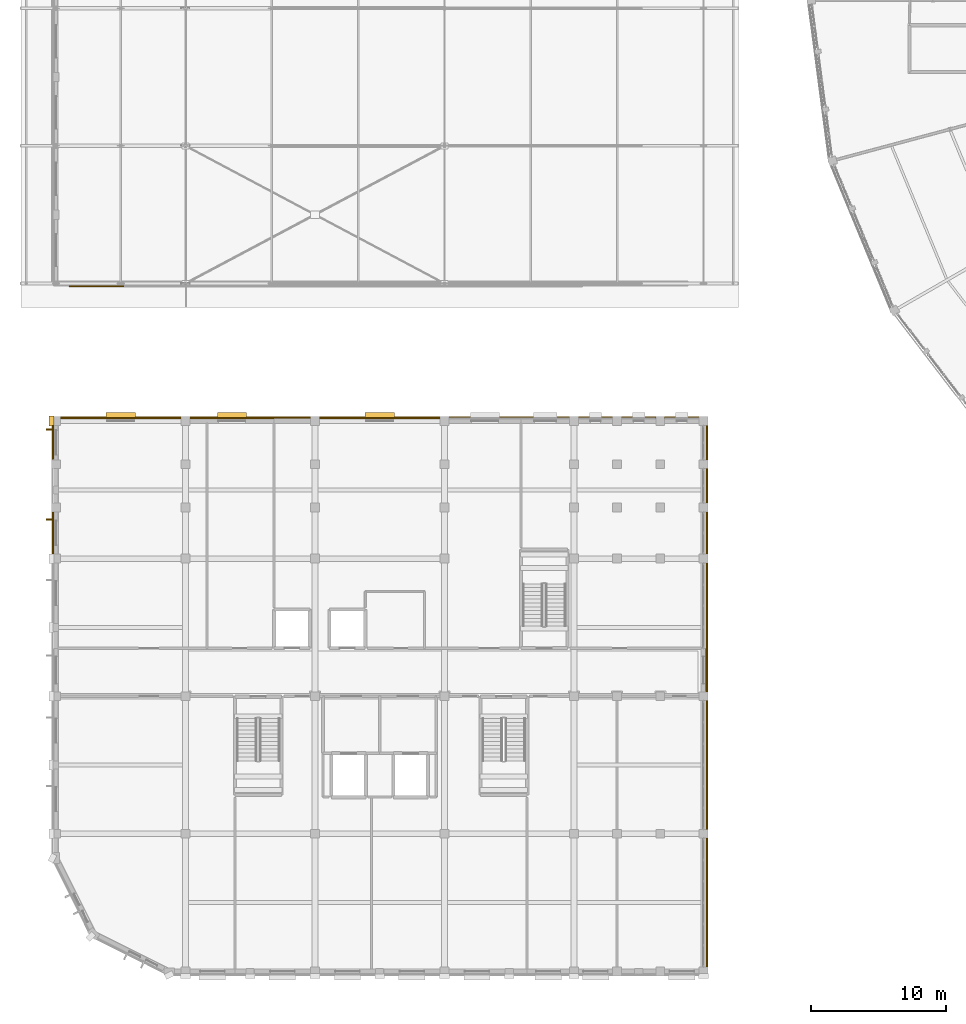
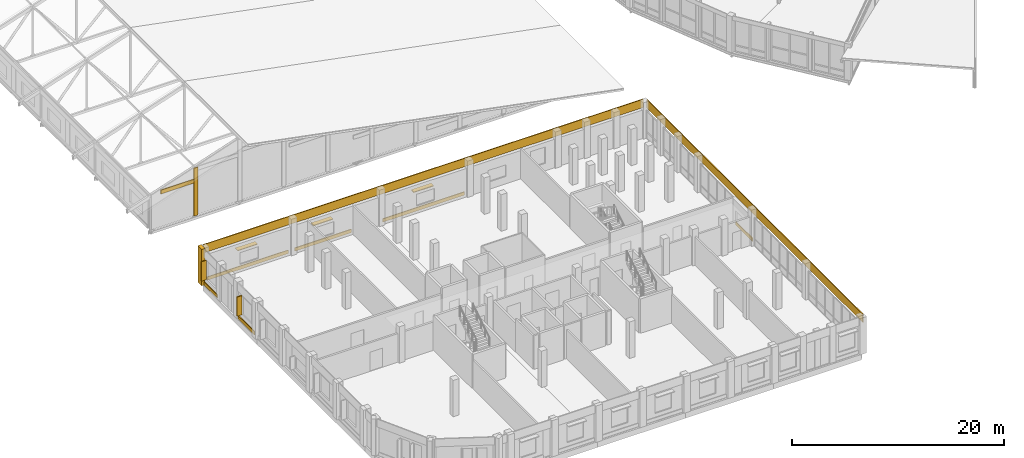
# One storey, part 192 of 200: 11 coverings, 5 shading devices.
"""IFC4 building model written with IfcOpenShell, lengths in metres."""

from ifc_helpers import new_model, si_unit, direction, frame, origin, origin_2d, place, context, subcontext, project, spatial, rectangle, extrude, material, layer, layer_set, type_object, element, save


model = new_model("IFC4")

# Units and contexts
model_context = context("Model", 3, precision=1e-05, world=origin(), true_north=direction((0.0, 1.0)))
body_context = subcontext(model_context, "Body", "Model", "MODEL_VIEW")
ifc_project = project(units=[si_unit("LENGTHUNIT", "METRE"), si_unit("AREAUNIT", "SQUARE_METRE"), si_unit("VOLUMEUNIT", "CUBIC_METRE"), si_unit("PLANEANGLEUNIT", "RADIAN"), si_unit("MASSUNIT", "GRAM", prefix="KILO")], contexts=[model_context])

# Site, building, storey
site_placement = place(None, origin())
site = spatial("IfcSite", under=ifc_project, at=site_placement, CompositionType="ELEMENT")
building_placement = place(site_placement, origin())
building = spatial("IfcBuilding", under=site, at=building_placement, Name="Vondelvale Polytechnic", CompositionType="ELEMENT")
storey_placement = place(building_placement, frame((0.0, 0.0, 13.800048828125)))
storey = spatial("IfcBuildingStorey", under=building, at=storey_placement, Name="L03", CompositionType="ELEMENT", Elevation=13.800048828125)

# Coverings
ifc_material_1 = material(Name="Amsterdam School iron-spot clinker clay brickwork", Category="masonry")
ifc_layer = layer(ifc_material_1, 0.090087890625)
ifc_layer_set = layer_set([ifc_layer], Name="COV-BRICK-RELIEF")
covering_type = type_object("IfcCoveringType", Name="COV-BRICK-RELIEF", PredefinedType="CLADDING", material=ifc_layer_set)
covering_1_placement = place(storey_placement, frame((4.800048828125, 50.784912109375, 0.0), z_axis=(0.0, 0.0, 1.0), x_axis=(1.0, 0.0, 0.0)))
element("IfcCovering", 1, at=covering_1_placement, inside=storey, type_object=covering_type, Name="L03 Amsterdam School gable vertical brick pier S-1", PredefinedType="CLADDING", context=body_context, shape_type="SweptSolid", body=[
    extrude(rectangle(XDim=0.419921875, YDim=0.090087890625, at=origin_2d()), origin(), (0.0, 0.0, 1.0), 5.519287109375),
])
covering_2_placement = place(storey_placement, frame((3.0, 50.784912109375, 3.8125), z_axis=(0.0, 0.0, 1.0), x_axis=(1.0, 0.0, 0.0)))
element("IfcCovering", 2, at=covering_2_placement, inside=storey, type_object=covering_type, Name="L03 stepped brick gable corbel S-1", PredefinedType="CLADDING", context=body_context, shape_type="SweptSolid", body=[
    extrude(rectangle(XDim=4.0, YDim=0.090087890625, at=origin_2d()), origin(), (0.0, 0.0, 1.0), 0.43994140625),
])
covering_3_placement = place(storey_placement, frame((48.264892578125, 20.39990234375, 3.239990234375), z_axis=(0.0, 0.0, 1.0), x_axis=(0.0, 1.0, 0.0)))
element("IfcCovering", 3, at=covering_3_placement, inside=storey, type_object=covering_type, Name="L03 exterior masonry spandrel band", PredefinedType="CLADDING", context=body_context, shape_type="SweptSolid", body=[
    extrude(rectangle(XDim=40.800048828125, YDim=0.090087890625, at=origin_2d()), origin(), (0.0, 0.0, 1.0), 0.9599609375),
])
covering_4_placement = place(storey_placement, frame((24.0, 41.06494140625, 3.239990234375), z_axis=(0.0, 0.0, 1.0), x_axis=(1.0, 0.0, 0.0)))
element("IfcCovering", 4, at=covering_4_placement, inside=storey, type_object=covering_type, Name="L03 exterior masonry spandrel band", PredefinedType="CLADDING", context=body_context, shape_type="SweptSolid", body=[
    extrude(rectangle(XDim=48.0, YDim=0.090087890625, at=origin_2d()), origin(), (0.0, 0.0, 1.0), 0.9599609375),
])
covering_5_placement = place(storey_placement, frame((-0.2109375, 32.5, 0.0), z_axis=(0.0, 0.0, 1.0), x_axis=(0.0, 1.0, 0.0)))
element("IfcCovering", 5, at=covering_5_placement, inside=storey, type_object=covering_type, Name="L03 exterior corbelled masonry relief band", PredefinedType="CLADDING", context=body_context, shape_type="SweptSolid", body=[
    extrude(rectangle(XDim=3.087890625, YDim=0.090087890625, at=origin_2d()), origin(), (0.0, 0.0, 1.0), 0.3798828125),
])
covering_6_placement = place(storey_placement, frame((-0.2109375, 39.199951171875, 0.0), z_axis=(0.0, 0.0, 1.0), x_axis=(0.0, 1.0, 0.0)))
element("IfcCovering", 6, at=covering_6_placement, inside=storey, type_object=covering_type, Name="L03 exterior corbelled masonry relief band", PredefinedType="CLADDING", context=body_context, shape_type="SweptSolid", body=[
    extrude(rectangle(XDim=2.488037109375, YDim=0.090087890625, at=origin_2d()), origin(), (0.0, 0.0, 1.0), 0.3798828125),
])
covering_7_placement = place(storey_placement, frame((48.2109375, 22.337890625, 0.0), z_axis=(0.0, 0.0, 1.0), x_axis=(0.0, -1.0, 0.0)))
element("IfcCovering", 7, at=covering_7_placement, inside=storey, type_object=covering_type, Name="L03 exterior corbelled masonry relief band", PredefinedType="CLADDING", context=body_context, shape_type="SweptSolid", body=[
    extrude(rectangle(XDim=3.1640625, YDim=0.090087890625, at=origin_2d()), origin(), (0.0, 0.0, 1.0), 0.3798828125),
])
covering_8_placement = place(storey_placement, frame((4.800048828125, 41.010986328125, 0.0), z_axis=(0.0, 0.0, 1.0), x_axis=(1.0, 0.0, 0.0)))
element("IfcCovering", 8, at=covering_8_placement, inside=storey, type_object=covering_type, Name="L03 exterior corbelled masonry relief band", PredefinedType="CLADDING", context=body_context, shape_type="SweptSolid", body=[
    extrude(rectangle(XDim=8.887939453125, YDim=0.090087890625, at=origin_2d()), origin(), (0.0, 0.0, 1.0), 0.3798828125),
])
covering_9_placement = place(storey_placement, frame((13.050537109375, 41.010986328125, 0.0), z_axis=(0.0, 0.0, 1.0), x_axis=(1.0, 0.0, 0.0)))
element("IfcCovering", 9, at=covering_9_placement, inside=storey, type_object=covering_type, Name="L03 exterior corbelled masonry relief band", PredefinedType="CLADDING", context=body_context, shape_type="SweptSolid", body=[
    extrude(rectangle(XDim=6.18896484375, YDim=0.090087890625, at=origin_2d()), origin(), (0.0, 0.0, 1.0), 0.3798828125),
])
covering_10_placement = place(storey_placement, frame((24.0, 41.010986328125, 0.0), z_axis=(0.0, 0.0, 1.0), x_axis=(1.0, 0.0, 0.0)))
element("IfcCovering", 10, at=covering_10_placement, inside=storey, type_object=covering_type, Name="L03 exterior corbelled masonry relief band", PredefinedType="CLADDING", context=body_context, shape_type="SweptSolid", body=[
    extrude(rectangle(XDim=8.887939453125, YDim=0.090087890625, at=origin_2d()), origin(), (0.0, 0.0, 1.0), 0.3798828125),
])
covering_11_placement = place(storey_placement, frame((-0.340087890625, 40.800048828125, 0.0), z_axis=(0.0, 0.0, 1.0), x_axis=(1.0, 0.0, 0.0)))
element("IfcCovering", 11, at=covering_11_placement, inside=storey, type_object=covering_type, Name="L03 Classical street pilaster", PredefinedType="CLADDING", context=body_context, shape_type="SweptSolid", body=[
    extrude(rectangle(XDim=0.360107421875, YDim=0.719970703125, at=origin_2d()), origin(), (0.0, 0.0, 1.0), 4.199951171875),
])

# Shading devices
ifc_material_2 = material(Name="Anodised extruded aluminium 6063-T6", Category="aluminium")
shading_device_type_1 = type_object("IfcShadingDeviceType", Name="SHD-BRONZE-LOUVRE", PredefinedType="SHUTTER", material=ifc_material_2)
for number, where, z_axis, x_axis, name in (
    (12, (4.800048828125, 41.195068359375, 2.20751953125), (0.0, 0.0, 1.0), (1.0, 0.0, 0.0), "L03 horizontal bronze sun-louvre overhang"),
    (13, (13.050537109375, 41.195068359375, 2.20751953125), (0.0, 0.0, 1.0), (1.0, 0.0, 0.0), "L03 horizontal bronze sun-louvre overhang"),
    (14, (24.0, 41.195068359375, 2.20751953125), (0.0, 0.0, 1.0), (1.0, 0.0, 0.0), "L03 horizontal bronze sun-louvre overhang"),
):
    element("IfcShadingDevice", number, at=place(storey_placement, frame(where, z_axis=z_axis, x_axis=x_axis)), inside=storey, type_object=shading_device_type_1, Name=name, PredefinedType="SHUTTER", context=body_context, shape_type="SweptSolid", body=[
        extrude(rectangle(XDim=2.159912109375, YDim=0.47998046875, at=origin_2d()), origin(), (0.0, 0.0, 1.0), 0.0849609375),
    ])
ifc_material_3 = material(Name="Kiln-fired architectural terracotta", Category="masonry")
shading_device_type_2 = type_object("IfcShadingDeviceType", Name="SHD-TERRA-FIN-550", PredefinedType="JALOUSIE", material=ifc_material_3)
for number, where, z_axis, x_axis, name in (
    (15, (-0.429931640625, 33.489990234375, 0.7900390625), (0.0, 0.0, 1.0), (0.0, 1.0, 0.0), "L03 vertical terracotta solar fin"),
    (16, (-0.429931640625, 40.18994140625, 0.7900390625), (0.0, 0.0, 1.0), (0.0, 1.0, 0.0), "L03 vertical terracotta solar fin"),
):
    element("IfcShadingDevice", number, at=place(storey_placement, frame(where, z_axis=z_axis, x_axis=x_axis)), inside=storey, type_object=shading_device_type_2, Name=name, PredefinedType="JALOUSIE", context=body_context, shape_type="SweptSolid", body=[
        extrude(rectangle(XDim=0.110107421875, YDim=0.550048828125, at=origin_2d()), origin(), (0.0, 0.0, 1.0), 2.219970703125),
    ])

save(model, "model.ifc")
